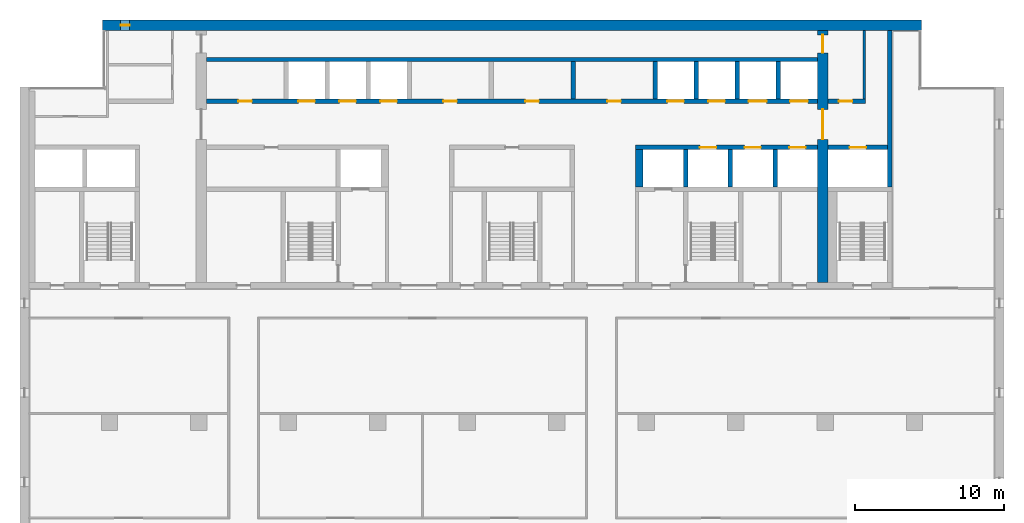
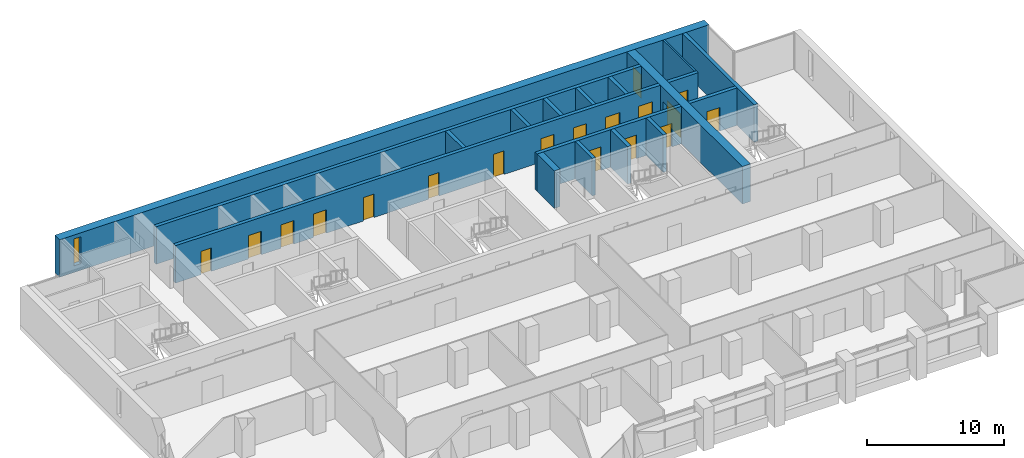
# One storey, part 11 of 17: 18 doors, 18 walls, 1 window, 19 openings.
"""IFC4 building model written with IfcOpenShell, lengths in metres."""

from ifc_helpers import new_model, si_unit, direction, frame, frame_2d, origin, place, context, subcontext, project, spatial, rectangle, extrude, material, layer, layer_set, type_object, element, fill, save


model = new_model("IFC4")

# Units and contexts
model_context = context("Model", 3, precision=1e-05, world=origin(), true_north=direction((0.0, 1.0)))
body_context = subcontext(model_context, "Body", "Model", "MODEL_VIEW")
ifc_project = project(units=[si_unit("LENGTHUNIT", "METRE"), si_unit("AREAUNIT", "SQUARE_METRE"), si_unit("VOLUMEUNIT", "CUBIC_METRE"), si_unit("PLANEANGLEUNIT", "RADIAN"), si_unit("MASSUNIT", "GRAM", prefix="KILO")], contexts=[model_context])

# Site, building, storey
site_placement = place(None, origin())
site = spatial("IfcSite", under=ifc_project, at=site_placement, CompositionType="ELEMENT")
building_placement = place(site_placement, origin())
building = spatial("IfcBuilding", under=site, at=building_placement, Name="Calvaro Tower", CompositionType="ELEMENT")
storey_placement = place(building_placement, frame((0.0, 0.0, 193.0)))
storey = spatial("IfcBuildingStorey", under=building, at=storey_placement, Name="L48", CompositionType="ELEMENT", Elevation=193.0)

# Wall
ifc_material_1 = material(Name="Blockwork partition", Category="masonry")
ifc_layer_1 = layer(ifc_material_1, 0.14990234375)
ifc_layer_set_1 = layer_set([ifc_layer_1], Name="Blockwork partition")
wall_type_1 = type_object("IfcWallType", Name="Core partition 150 REI 120", PredefinedType="PARTITIONING", material=ifc_layer_set_1)
wall_1_placement = place(storey_placement, frame((62.625, 40.699951171875, 0.0), z_axis=(0.0, 0.0, 1.0), x_axis=(0.0, 1.0, 0.0)))
element("IfcWall", 1, at=wall_1_placement, inside=storey, type_object=wall_type_1, Name="Core partition", PredefinedType="PARTITIONING", context=body_context, shape_type="SweptSolid", body=[
    extrude(rectangle(XDim=4.60009765625, YDim=0.14990234375, at=frame_2d((2.300048828125, 0.0))), origin(), (0.0, 0.0, 1.0), 3.35009765625),
])

# Wall, opening, door
ifc_material_2 = material(Name="Blockwork partition", Category="masonry")
ifc_layer_2 = layer(ifc_material_2, 0.300048828125)
ifc_layer_set_2 = layer_set([ifc_layer_2], Name="Blockwork partition")
wall_type_2 = type_object("IfcWallType", Name="Core partition 300 REI 120", PredefinedType="PARTITIONING", material=ifc_layer_set_2)
wall_2_placement = place(storey_placement, frame((60.199951171875, 40.550048828125, 0.0), z_axis=(0.0, 0.0, 1.0), x_axis=(1.0, 0.0, 0.0)))
wall_2 = element("IfcWall", 2, at=wall_2_placement, inside=storey, type_object=wall_type_2, Name="Core partition", PredefinedType="PARTITIONING", context=body_context, shape_type="SweptSolid", body=[
    extrude(rectangle(XDim=2.5, YDim=0.300048828125, at=frame_2d((1.25, 0.0))), origin(), (0.0, 0.0, 1.0), 3.35009765625),
])
opening_1_placement = place(wall_2_placement, frame((0.72509765625, 0.0, 0.0)))
opening_1 = element("IfcOpeningElement", 3, at=opening_1_placement, cuts=wall_2, Name="Opening RD9E", PredefinedType="OPENING", context=body_context, shape_type="SweptSolid", body=[
    extrude(rectangle(XDim=0.89990234375, YDim=2.10009765625, at=frame_2d((0.449951171875, 1.050048828125))), frame((0.0, 0.159912109375, 0.0), z_axis=(0.0, -1.0, 0.0), x_axis=(1.0, 0.0, 0.0)), (0.0, 0.0, 1.0), 0.320068359375),
])
ifc_material_3 = material(Name="Steel door set", Category="steel")
door_type_1 = type_object("IfcDoorType", Name="Room door 900 FD60", OperationType="SINGLE_SWING_LEFT", PredefinedType="DOOR", material=ifc_material_3)
door_1_placement = place(opening_1_placement, origin())
door_1 = element("IfcDoor", 4, at=door_1_placement, inside=storey, type_object=door_type_1, Name="Room door", OperationType="SINGLE_SWING_LEFT", OverallHeight=2.10009765625, OverallWidth=0.89990234375, PredefinedType="DOOR", context=body_context, shape_type="SweptSolid", body=[
    extrude(rectangle(XDim=0.89990234375, YDim=2.10009765625, at=frame_2d((0.449951171875, 1.050048828125))), frame((0.0, 0.02490234375, 0.0), z_axis=(0.0, -1.0, 0.0), x_axis=(1.0, 0.0, 0.0)), (0.0, 0.0, 1.0), 0.050048828125),
])
fill(opening_1, door_1)

# Walls
wall_3_placement = place(storey_placement, frame((43.10009765625, 40.699951171875, 0.0), z_axis=(0.0, 0.0, 1.0), x_axis=(0.0, 1.0, 0.0)))
element("IfcWall", 5, at=wall_3_placement, inside=storey, type_object=wall_type_2, Name="Core partition", PredefinedType="PARTITIONING", context=body_context, shape_type="SweptSolid", body=[
    extrude(rectangle(XDim=2.5, YDim=0.300048828125, at=frame_2d((1.25, 0.0))), origin(), (0.0, 0.0, 1.0), 3.35009765625),
])
ifc_material_4 = material(Name="Concrete C50/60", Category="concrete")
ifc_layer_3 = layer(ifc_material_4, 0.300048828125)
ifc_layer_set_3 = layer_set([ifc_layer_3], Name="Concrete C50/60")
wall_type_3 = type_object("IfcWallType", Name="Core wall C50/60 300", PredefinedType="SHEAR", material=ifc_layer_set_3)
wall_4_placement = place(storey_placement, frame((64.35009765625, 34.800048828125, 0.0), z_axis=(0.0, 0.0, 1.0), x_axis=(0.0, 1.0, 0.0)))
element("IfcWall", 6, at=wall_4_placement, inside=storey, type_object=wall_type_3, Name="Core wall, boundary", PredefinedType="SHEAR", context=body_context, shape_type="SweptSolid", body=[
    extrude(rectangle(XDim=10.5, YDim=0.300048828125, at=frame_2d((5.25, 0.0))), origin(), (0.0, 0.0, 1.0), 3.35009765625),
])

# Wall, openings, doors
wall_5_placement = place(storey_placement, frame((47.300048828125, 37.449951171875, 0.0), z_axis=(0.0, 0.0, 1.0), x_axis=(1.0, 0.0, 0.0)))
wall_5 = element("IfcWall", 7, at=wall_5_placement, inside=storey, type_object=wall_type_3, Name="Core wall, lift shaft", PredefinedType="SHEAR", context=body_context, shape_type="SweptSolid", body=[
    extrude(rectangle(XDim=12.199951171875, YDim=0.300048828125, at=frame_2d((6.10009765625, 0.0))), origin(), (0.0, 0.0, 1.0), 3.35009765625),
])
opening_2_placement = place(wall_5_placement, frame((4.300048828125, 0.0, 0.0)))
opening_2 = element("IfcOpeningElement", 8, at=opening_2_placement, cuts=wall_5, Name="Opening HR1", PredefinedType="OPENING", context=body_context, shape_type="SweptSolid", body=[
    extrude(rectangle(XDim=1.10009765625, YDim=2.10009765625, at=frame_2d((0.550048828125, 1.050048828125))), frame((0.0, 0.159912109375, 0.0), z_axis=(0.0, -1.0, 0.0), x_axis=(1.0, 0.0, 0.0)), (0.0, 0.0, 1.0), 0.320068359375),
])
opening_3_placement = place(wall_5_placement, frame((7.300048828125, 0.0, 0.0)))
opening_3 = element("IfcOpeningElement", 9, at=opening_3_placement, cuts=wall_5, Name="Opening HR2", PredefinedType="OPENING", context=body_context, shape_type="SweptSolid", body=[
    extrude(rectangle(XDim=1.10009765625, YDim=2.10009765625, at=frame_2d((0.550048828125, 1.050048828125))), frame((0.0, 0.159912109375, 0.0), z_axis=(0.0, -1.0, 0.0), x_axis=(1.0, 0.0, 0.0)), (0.0, 0.0, 1.0), 0.320068359375),
])
opening_4_placement = place(wall_5_placement, frame((10.300048828125, 0.0, 0.0)))
opening_4 = element("IfcOpeningElement", 10, at=opening_4_placement, cuts=wall_5, Name="Opening HR3", PredefinedType="OPENING", context=body_context, shape_type="SweptSolid", body=[
    extrude(rectangle(XDim=1.10009765625, YDim=2.10009765625, at=frame_2d((0.550048828125, 1.050048828125))), frame((0.0, 0.159912109375, 0.0), z_axis=(0.0, -1.0, 0.0), x_axis=(1.0, 0.0, 0.0)), (0.0, 0.0, 1.0), 0.320068359375),
])
ifc_material_5 = material(Name="Stainless steel", Category="steel")
door_type_2 = type_object("IfcDoorType", Name="Landing door 1100 E 60", OperationType="SLIDING_TO_LEFT", PredefinedType="DOOR", material=ifc_material_5)
door_2_placement = place(opening_2_placement, origin())
door_2 = element("IfcDoor", 11, at=door_2_placement, inside=storey, type_object=door_type_2, Name="Landing door HR1", OperationType="SLIDING_TO_LEFT", OverallHeight=2.10009765625, OverallWidth=1.10009765625, PredefinedType="DOOR", context=body_context, shape_type="SweptSolid", body=[
    extrude(rectangle(XDim=1.10009765625, YDim=2.10009765625, at=frame_2d((0.550048828125, 1.050048828125))), frame((0.0, 0.02490234375, 0.0), z_axis=(0.0, -1.0, 0.0), x_axis=(1.0, 0.0, 0.0)), (0.0, 0.0, 1.0), 0.050048828125),
])
fill(opening_2, door_2)
door_3_placement = place(opening_3_placement, origin())
door_3 = element("IfcDoor", 12, at=door_3_placement, inside=storey, type_object=door_type_2, Name="Landing door HR2", OperationType="SLIDING_TO_LEFT", OverallHeight=2.10009765625, OverallWidth=1.10009765625, PredefinedType="DOOR", context=body_context, shape_type="SweptSolid", body=[
    extrude(rectangle(XDim=1.10009765625, YDim=2.10009765625, at=frame_2d((0.550048828125, 1.050048828125))), frame((0.0, 0.02490234375, 0.0), z_axis=(0.0, -1.0, 0.0), x_axis=(1.0, 0.0, 0.0)), (0.0, 0.0, 1.0), 0.050048828125),
])
fill(opening_3, door_3)
door_4_placement = place(opening_4_placement, origin())
door_4 = element("IfcDoor", 13, at=door_4_placement, inside=storey, type_object=door_type_2, Name="Landing door HR3", OperationType="SLIDING_TO_LEFT", OverallHeight=2.10009765625, OverallWidth=1.10009765625, PredefinedType="DOOR", context=body_context, shape_type="SweptSolid", body=[
    extrude(rectangle(XDim=1.10009765625, YDim=2.10009765625, at=frame_2d((0.550048828125, 1.050048828125))), frame((0.0, 0.02490234375, 0.0), z_axis=(0.0, -1.0, 0.0), x_axis=(1.0, 0.0, 0.0)), (0.0, 0.0, 1.0), 0.050048828125),
])
fill(opening_4, door_4)

# Wall, opening, door
wall_6_placement = place(storey_placement, frame((60.199951171875, 37.449951171875, 0.0), z_axis=(0.0, 0.0, 1.0), x_axis=(1.0, 0.0, 0.0)))
wall_6 = element("IfcWall", 14, at=wall_6_placement, inside=storey, type_object=wall_type_3, Name="Core wall, lift shaft", PredefinedType="SHEAR", context=body_context, shape_type="SweptSolid", body=[
    extrude(rectangle(XDim=4.0, YDim=0.300048828125, at=frame_2d((2.0, 0.0))), origin(), (0.0, 0.0, 1.0), 3.35009765625),
])
opening_5_placement = place(wall_6_placement, frame((1.449951171875, 0.0, 0.0)))
opening_5 = element("IfcOpeningElement", 15, at=opening_5_placement, cuts=wall_6, Name="Opening FF3", PredefinedType="OPENING", context=body_context, shape_type="SweptSolid", body=[
    extrude(rectangle(XDim=1.10009765625, YDim=2.10009765625, at=frame_2d((0.550048828125, 1.050048828125))), frame((0.0, 0.159912109375, 0.0), z_axis=(0.0, -1.0, 0.0), x_axis=(1.0, 0.0, 0.0)), (0.0, 0.0, 1.0), 0.320068359375),
])
door_5_placement = place(opening_5_placement, origin())
door_5 = element("IfcDoor", 16, at=door_5_placement, inside=storey, type_object=door_type_2, Name="Landing door FF3", OperationType="SLIDING_TO_LEFT", OverallHeight=2.10009765625, OverallWidth=1.10009765625, PredefinedType="DOOR", context=body_context, shape_type="SweptSolid", body=[
    extrude(rectangle(XDim=1.10009765625, YDim=2.10009765625, at=frame_2d((0.550048828125, 1.050048828125))), frame((0.0, 0.02490234375, 0.0), z_axis=(0.0, -1.0, 0.0), x_axis=(1.0, 0.0, 0.0)), (0.0, 0.0, 1.0), 0.050048828125),
])
fill(opening_5, door_5)

# Wall
wall_7_placement = place(storey_placement, frame((50.64990234375, 34.800048828125, 0.0), z_axis=(0.0, 0.0, 1.0), x_axis=(0.0, 1.0, 0.0)))
element("IfcWall", 17, at=wall_7_placement, inside=storey, type_object=wall_type_3, Name="Core wall, lift shaft", PredefinedType="SHEAR", context=body_context, shape_type="SweptSolid", body=[
    extrude(rectangle(XDim=2.5, YDim=0.300048828125, at=frame_2d((1.25, 0.0))), origin(), (0.0, 0.0, 1.0), 3.35009765625),
])

# Wall, openings, doors
wall_8_placement = place(storey_placement, frame((18.5, 40.550048828125, 0.0), z_axis=(0.0, 0.0, 1.0), x_axis=(1.0, 0.0, 0.0)))
wall_8 = element("IfcWall", 18, at=wall_8_placement, inside=storey, type_object=wall_type_3, Name="Core wall, bay", PredefinedType="SHEAR", context=body_context, shape_type="SweptSolid", body=[
    extrude(rectangle(XDim=41.0, YDim=0.300048828125, at=frame_2d((20.5, 0.0))), origin(), (0.0, 0.0, 1.0), 3.35009765625),
])
opening_6_placement = place(wall_8_placement, frame((2.14990234375, 0.0, 0.0)))
opening_6 = element("IfcOpeningElement", 19, at=opening_6_placement, cuts=wall_8, Name="Opening RD9E", PredefinedType="OPENING", context=body_context, shape_type="SweptSolid", body=[
    extrude(rectangle(XDim=0.89990234375, YDim=2.10009765625, at=frame_2d((0.449951171875, 1.050048828125))), frame((0.0, 0.159912109375, 0.0), z_axis=(0.0, -1.0, 0.0), x_axis=(1.0, 0.0, 0.0)), (0.0, 0.0, 1.0), 0.320068359375),
])
opening_7_placement = place(wall_8_placement, frame((15.89990234375, 0.0, 0.0)))
opening_7 = element("IfcOpeningElement", 20, at=opening_7_placement, cuts=wall_8, Name="Opening RD9E", PredefinedType="OPENING", context=body_context, shape_type="SweptSolid", body=[
    extrude(rectangle(XDim=0.89990234375, YDim=2.10009765625, at=frame_2d((0.449951171875, 1.050048828125))), frame((0.0, 0.159912109375, 0.0), z_axis=(0.0, -1.0, 0.0), x_axis=(1.0, 0.0, 0.0)), (0.0, 0.0, 1.0), 0.320068359375),
])
opening_8_placement = place(wall_8_placement, frame((21.39990234375, 0.0, 0.0)))
opening_8 = element("IfcOpeningElement", 21, at=opening_8_placement, cuts=wall_8, Name="Opening RD9E", PredefinedType="OPENING", context=body_context, shape_type="SweptSolid", body=[
    extrude(rectangle(XDim=0.89990234375, YDim=2.10009765625, at=frame_2d((0.449951171875, 1.050048828125))), frame((0.0, 0.159912109375, 0.0), z_axis=(0.0, -1.0, 0.0), x_axis=(1.0, 0.0, 0.0)), (0.0, 0.0, 1.0), 0.320068359375),
])
opening_9_placement = place(wall_8_placement, frame((26.89990234375, 0.0, 0.0)))
opening_9 = element("IfcOpeningElement", 22, at=opening_9_placement, cuts=wall_8, Name="Opening RD9E", PredefinedType="OPENING", context=body_context, shape_type="SweptSolid", body=[
    extrude(rectangle(XDim=0.89990234375, YDim=2.10009765625, at=frame_2d((0.449951171875, 1.050048828125))), frame((0.0, 0.159912109375, 0.0), z_axis=(0.0, -1.0, 0.0), x_axis=(1.0, 0.0, 0.0)), (0.0, 0.0, 1.0), 0.320068359375),
])
opening_10_placement = place(wall_8_placement, frame((6.175048828125, 0.0, 0.0)))
opening_10 = element("IfcOpeningElement", 23, at=opening_10_placement, cuts=wall_8, Name="Opening HR4", PredefinedType="OPENING", context=body_context, shape_type="SweptSolid", body=[
    extrude(rectangle(XDim=1.10009765625, YDim=2.10009765625, at=frame_2d((0.550048828125, 1.050048828125))), frame((0.0, 0.159912109375, 0.0), z_axis=(0.0, -1.0, 0.0), x_axis=(1.0, 0.0, 0.0)), (0.0, 0.0, 1.0), 0.320068359375),
])
opening_11_placement = place(wall_8_placement, frame((8.925048828125, 0.0, 0.0)))
opening_11 = element("IfcOpeningElement", 24, at=opening_11_placement, cuts=wall_8, Name="Opening HR5", PredefinedType="OPENING", context=body_context, shape_type="SweptSolid", body=[
    extrude(rectangle(XDim=1.10009765625, YDim=2.10009765625, at=frame_2d((0.550048828125, 1.050048828125))), frame((0.0, 0.159912109375, 0.0), z_axis=(0.0, -1.0, 0.0), x_axis=(1.0, 0.0, 0.0)), (0.0, 0.0, 1.0), 0.320068359375),
])
opening_12_placement = place(wall_8_placement, frame((11.675048828125, 0.0, 0.0)))
opening_12 = element("IfcOpeningElement", 25, at=opening_12_placement, cuts=wall_8, Name="Opening HR6", PredefinedType="OPENING", context=body_context, shape_type="SweptSolid", body=[
    extrude(rectangle(XDim=1.10009765625, YDim=2.10009765625, at=frame_2d((0.550048828125, 1.050048828125))), frame((0.0, 0.159912109375, 0.0), z_axis=(0.0, -1.0, 0.0), x_axis=(1.0, 0.0, 0.0)), (0.0, 0.0, 1.0), 0.320068359375),
])
opening_13_placement = place(wall_8_placement, frame((30.925048828125, 0.0, 0.0)))
opening_13 = element("IfcOpeningElement", 26, at=opening_13_placement, cuts=wall_8, Name="Opening HR7", PredefinedType="OPENING", context=body_context, shape_type="SweptSolid", body=[
    extrude(rectangle(XDim=1.10009765625, YDim=2.10009765625, at=frame_2d((0.550048828125, 1.050048828125))), frame((0.0, 0.159912109375, 0.0), z_axis=(0.0, -1.0, 0.0), x_axis=(1.0, 0.0, 0.0)), (0.0, 0.0, 1.0), 0.320068359375),
])
opening_14_placement = place(wall_8_placement, frame((33.675048828125, 0.0, 0.0)))
opening_14 = element("IfcOpeningElement", 27, at=opening_14_placement, cuts=wall_8, Name="Opening HR8", PredefinedType="OPENING", context=body_context, shape_type="SweptSolid", body=[
    extrude(rectangle(XDim=1.10009765625, YDim=2.10009765625, at=frame_2d((0.550048828125, 1.050048828125))), frame((0.0, 0.159912109375, 0.0), z_axis=(0.0, -1.0, 0.0), x_axis=(1.0, 0.0, 0.0)), (0.0, 0.0, 1.0), 0.320068359375),
])
opening_15_placement = place(wall_8_placement, frame((36.375, 0.0, 0.0)))
opening_15 = element("IfcOpeningElement", 28, at=opening_15_placement, cuts=wall_8, Name="Opening SV1", PredefinedType="OPENING", context=body_context, shape_type="SweptSolid", body=[
    extrude(rectangle(XDim=1.199951171875, YDim=2.10009765625, at=frame_2d((0.60009765625, 1.050048828125))), frame((0.0, 0.159912109375, 0.0), z_axis=(0.0, -1.0, 0.0), x_axis=(1.0, 0.0, 0.0)), (0.0, 0.0, 1.0), 0.320068359375),
])
opening_16_placement = place(wall_8_placement, frame((39.14990234375, 0.0, 0.0)))
opening_16 = element("IfcOpeningElement", 29, at=opening_16_placement, cuts=wall_8, Name="Opening SV2", PredefinedType="OPENING", context=body_context, shape_type="SweptSolid", body=[
    extrude(rectangle(XDim=1.199951171875, YDim=2.10009765625, at=frame_2d((0.60009765625, 1.050048828125))), frame((0.0, 0.159912109375, 0.0), z_axis=(0.0, -1.0, 0.0), x_axis=(1.0, 0.0, 0.0)), (0.0, 0.0, 1.0), 0.320068359375),
])
door_6_placement = place(opening_10_placement, origin())
door_6 = element("IfcDoor", 30, at=door_6_placement, inside=storey, type_object=door_type_2, Name="Landing door HR4", OperationType="SLIDING_TO_LEFT", OverallHeight=2.10009765625, OverallWidth=1.10009765625, PredefinedType="DOOR", context=body_context, shape_type="SweptSolid", body=[
    extrude(rectangle(XDim=1.10009765625, YDim=2.10009765625, at=frame_2d((0.550048828125, 1.050048828125))), frame((0.0, 0.02490234375, 0.0), z_axis=(0.0, -1.0, 0.0), x_axis=(1.0, 0.0, 0.0)), (0.0, 0.0, 1.0), 0.050048828125),
])
fill(opening_10, door_6)
door_7_placement = place(opening_11_placement, origin())
door_7 = element("IfcDoor", 31, at=door_7_placement, inside=storey, type_object=door_type_2, Name="Landing door HR5", OperationType="SLIDING_TO_LEFT", OverallHeight=2.10009765625, OverallWidth=1.10009765625, PredefinedType="DOOR", context=body_context, shape_type="SweptSolid", body=[
    extrude(rectangle(XDim=1.10009765625, YDim=2.10009765625, at=frame_2d((0.550048828125, 1.050048828125))), frame((0.0, 0.02490234375, 0.0), z_axis=(0.0, -1.0, 0.0), x_axis=(1.0, 0.0, 0.0)), (0.0, 0.0, 1.0), 0.050048828125),
])
fill(opening_11, door_7)
door_8_placement = place(opening_12_placement, origin())
door_8 = element("IfcDoor", 32, at=door_8_placement, inside=storey, type_object=door_type_2, Name="Landing door HR6", OperationType="SLIDING_TO_LEFT", OverallHeight=2.10009765625, OverallWidth=1.10009765625, PredefinedType="DOOR", context=body_context, shape_type="SweptSolid", body=[
    extrude(rectangle(XDim=1.10009765625, YDim=2.10009765625, at=frame_2d((0.550048828125, 1.050048828125))), frame((0.0, 0.02490234375, 0.0), z_axis=(0.0, -1.0, 0.0), x_axis=(1.0, 0.0, 0.0)), (0.0, 0.0, 1.0), 0.050048828125),
])
fill(opening_12, door_8)
door_9_placement = place(opening_13_placement, origin())
door_9 = element("IfcDoor", 33, at=door_9_placement, inside=storey, type_object=door_type_2, Name="Landing door HR7", OperationType="SLIDING_TO_LEFT", OverallHeight=2.10009765625, OverallWidth=1.10009765625, PredefinedType="DOOR", context=body_context, shape_type="SweptSolid", body=[
    extrude(rectangle(XDim=1.10009765625, YDim=2.10009765625, at=frame_2d((0.550048828125, 1.050048828125))), frame((0.0, 0.02490234375, 0.0), z_axis=(0.0, -1.0, 0.0), x_axis=(1.0, 0.0, 0.0)), (0.0, 0.0, 1.0), 0.050048828125),
])
fill(opening_13, door_9)
door_10_placement = place(opening_14_placement, origin())
door_10 = element("IfcDoor", 34, at=door_10_placement, inside=storey, type_object=door_type_2, Name="Landing door HR8", OperationType="SLIDING_TO_LEFT", OverallHeight=2.10009765625, OverallWidth=1.10009765625, PredefinedType="DOOR", context=body_context, shape_type="SweptSolid", body=[
    extrude(rectangle(XDim=1.10009765625, YDim=2.10009765625, at=frame_2d((0.550048828125, 1.050048828125))), frame((0.0, 0.02490234375, 0.0), z_axis=(0.0, -1.0, 0.0), x_axis=(1.0, 0.0, 0.0)), (0.0, 0.0, 1.0), 0.050048828125),
])
fill(opening_14, door_10)
ifc_material_6 = material(Name="Stainless steel", Category="steel")
door_type_3 = type_object("IfcDoorType", Name="Landing door 1200 E 60", OperationType="SLIDING_TO_LEFT", PredefinedType="DOOR", material=ifc_material_6)
door_11_placement = place(opening_15_placement, origin())
door_11 = element("IfcDoor", 35, at=door_11_placement, inside=storey, type_object=door_type_3, Name="Landing door SV1", OperationType="SLIDING_TO_LEFT", OverallHeight=2.10009765625, OverallWidth=1.199951171875, PredefinedType="DOOR", context=body_context, shape_type="SweptSolid", body=[
    extrude(rectangle(XDim=1.199951171875, YDim=2.10009765625, at=frame_2d((0.60009765625, 1.050048828125))), frame((0.0, 0.02490234375, 0.0), z_axis=(0.0, -1.0, 0.0), x_axis=(1.0, 0.0, 0.0)), (0.0, 0.0, 1.0), 0.050048828125),
])
fill(opening_15, door_11)
door_12_placement = place(opening_16_placement, origin())
door_12 = element("IfcDoor", 36, at=door_12_placement, inside=storey, type_object=door_type_3, Name="Landing door SV2", OperationType="SLIDING_TO_LEFT", OverallHeight=2.10009765625, OverallWidth=1.199951171875, PredefinedType="DOOR", context=body_context, shape_type="SweptSolid", body=[
    extrude(rectangle(XDim=1.199951171875, YDim=2.10009765625, at=frame_2d((0.60009765625, 1.050048828125))), frame((0.0, 0.02490234375, 0.0), z_axis=(0.0, -1.0, 0.0), x_axis=(1.0, 0.0, 0.0)), (0.0, 0.0, 1.0), 0.050048828125),
])
fill(opening_16, door_12)
door_13_placement = place(opening_6_placement, origin())
door_13 = element("IfcDoor", 37, at=door_13_placement, inside=storey, type_object=door_type_1, Name="Room door", OperationType="SINGLE_SWING_RIGHT", OverallHeight=2.10009765625, OverallWidth=0.89990234375, PredefinedType="DOOR", context=body_context, shape_type="SweptSolid", body=[
    extrude(rectangle(XDim=0.89990234375, YDim=2.10009765625, at=frame_2d((0.449951171875, 1.050048828125))), frame((0.0, 0.02490234375, 0.0), z_axis=(0.0, -1.0, 0.0), x_axis=(1.0, 0.0, 0.0)), (0.0, 0.0, 1.0), 0.050048828125),
])
fill(opening_6, door_13)
door_14_placement = place(opening_7_placement, origin())
door_14 = element("IfcDoor", 38, at=door_14_placement, inside=storey, type_object=door_type_1, Name="Room door", OperationType="SINGLE_SWING_LEFT", OverallHeight=2.10009765625, OverallWidth=0.89990234375, PredefinedType="DOOR", context=body_context, shape_type="SweptSolid", body=[
    extrude(rectangle(XDim=0.89990234375, YDim=2.10009765625, at=frame_2d((0.449951171875, 1.050048828125))), frame((0.0, 0.02490234375, 0.0), z_axis=(0.0, -1.0, 0.0), x_axis=(1.0, 0.0, 0.0)), (0.0, 0.0, 1.0), 0.050048828125),
])
fill(opening_7, door_14)
door_15_placement = place(opening_8_placement, origin())
door_15 = element("IfcDoor", 39, at=door_15_placement, inside=storey, type_object=door_type_1, Name="Room door", OperationType="SINGLE_SWING_LEFT", OverallHeight=2.10009765625, OverallWidth=0.89990234375, PredefinedType="DOOR", context=body_context, shape_type="SweptSolid", body=[
    extrude(rectangle(XDim=0.89990234375, YDim=2.10009765625, at=frame_2d((0.449951171875, 1.050048828125))), frame((0.0, 0.02490234375, 0.0), z_axis=(0.0, -1.0, 0.0), x_axis=(1.0, 0.0, 0.0)), (0.0, 0.0, 1.0), 0.050048828125),
])
fill(opening_8, door_15)
door_16_placement = place(opening_9_placement, origin())
door_16 = element("IfcDoor", 40, at=door_16_placement, inside=storey, type_object=door_type_1, Name="Room door", OperationType="SINGLE_SWING_LEFT", OverallHeight=2.10009765625, OverallWidth=0.89990234375, PredefinedType="DOOR", context=body_context, shape_type="SweptSolid", body=[
    extrude(rectangle(XDim=0.89990234375, YDim=2.10009765625, at=frame_2d((0.449951171875, 1.050048828125))), frame((0.0, 0.02490234375, 0.0), z_axis=(0.0, -1.0, 0.0), x_axis=(1.0, 0.0, 0.0)), (0.0, 0.0, 1.0), 0.050048828125),
])
fill(opening_9, door_16)

# Walls
wall_9_placement = place(storey_placement, frame((18.5, 43.35009765625, 0.0), z_axis=(0.0, 0.0, 1.0), x_axis=(1.0, 0.0, 0.0)))
element("IfcWall", 41, at=wall_9_placement, inside=storey, type_object=wall_type_3, Name="Core wall, lift shaft", PredefinedType="SHEAR", context=body_context, shape_type="SweptSolid", body=[
    extrude(rectangle(XDim=41.0, YDim=0.300048828125, at=frame_2d((20.5, 0.0))), origin(), (0.0, 0.0, 1.0), 3.35009765625),
])
for number, where, z_axis, x_axis, name in (
    (42, (53.64990234375, 34.800048828125, 0.0), (0.0, 0.0, 1.0), (0.0, 1.0, 0.0), "Core wall, lift shaft"),
    (43, (56.64990234375, 34.800048828125, 0.0), (0.0, 0.0, 1.0), (0.0, 1.0, 0.0), "Core wall, lift shaft"),
    (44, (48.60009765625, 40.699951171875, 0.0), (0.0, 0.0, 1.0), (0.0, 1.0, 0.0), "Core wall, lift shaft"),
    (45, (51.35009765625, 40.699951171875, 0.0), (0.0, 0.0, 1.0), (0.0, 1.0, 0.0), "Core wall, lift shaft"),
    (46, (54.10009765625, 40.699951171875, 0.0), (0.0, 0.0, 1.0), (0.0, 1.0, 0.0), "Core wall, lift shaft"),
    (47, (56.85009765625, 40.699951171875, 0.0), (0.0, 0.0, 1.0), (0.0, 1.0, 0.0), "Core wall, lift shaft"),
):
    element("IfcWall", number, at=place(storey_placement, frame(where, z_axis=z_axis, x_axis=x_axis)), inside=storey, type_object=wall_type_3, Name=name, PredefinedType="SHEAR", context=body_context, shape_type="SweptSolid", body=[
        extrude(rectangle(XDim=2.5, YDim=0.300048828125, at=frame_2d((1.25, 0.0))), origin(), (0.0, 0.0, 1.0), 3.35009765625),
    ])
ifc_material_7 = material(Name="Concrete C50/60", Category="concrete")
ifc_layer_4 = layer(ifc_material_7, 0.5)
ifc_layer_set_4 = layer_set([ifc_layer_4], Name="Concrete C50/60")
wall_type_4 = type_object("IfcWallType", Name="Core wall C50/60 500", PredefinedType="SHEAR", material=ifc_layer_set_4)
wall_10_placement = place(storey_placement, frame((47.550048828125, 34.800048828125, 0.0), z_axis=(0.0, 0.0, 1.0), x_axis=(0.0, 1.0, 0.0)))
element("IfcWall", 48, at=wall_10_placement, inside=storey, type_object=wall_type_4, Name="Core wall, lift shaft", PredefinedType="SHEAR", context=body_context, shape_type="SweptSolid", body=[
    extrude(rectangle(XDim=2.5, YDim=0.5, at=frame_2d((1.25, 0.0))), origin(), (0.0, 0.0, 1.0), 3.35009765625),
])

# Wall, openings, doors
ifc_material_8 = material(Name="Concrete C50/60", Category="concrete")
ifc_layer_5 = layer(ifc_material_8, 0.699951171875)
ifc_layer_set_5 = layer_set([ifc_layer_5], Name="Concrete C50/60")
wall_type_5 = type_object("IfcWallType", Name="Core wall C50/60 700", PredefinedType="SHEAR", material=ifc_layer_set_5)
wall_11_placement = place(storey_placement, frame((59.85009765625, 28.39990234375, 0.0), z_axis=(0.0, 0.0, 1.0), x_axis=(0.0, 1.0, 0.0)))
wall_11 = element("IfcWall", 49, at=wall_11_placement, inside=storey, type_object=wall_type_5, Name="Core wall, cross shear wall", PredefinedType="SHEAR", context=body_context, shape_type="SweptSolid", body=[
    extrude(rectangle(XDim=16.900146484375, YDim=0.699951171875, at=frame_2d((8.4501953125, 0.0))), origin(), (0.0, 0.0, 1.0), 3.35009765625),
])
opening_17_placement = place(wall_11_placement, frame((9.60009765625, 0.0, 0.0)))
opening_17 = element("IfcOpeningElement", 50, at=opening_17_placement, cuts=wall_11, Name="Opening DD20D", PredefinedType="OPENING", context=body_context, shape_type="SweptSolid", body=[
    extrude(rectangle(XDim=2.0, YDim=2.10009765625, at=frame_2d((1.0, 1.050048828125))), frame((0.0, 0.35986328125, 0.0), z_axis=(0.0, -1.0, 0.0), x_axis=(1.0, 0.0, 0.0)), (0.0, 0.0, 1.0), 0.719970703125),
])
opening_18_placement = place(wall_11_placement, frame((15.39990234375, 0.0, 0.0)))
opening_18 = element("IfcOpeningElement", 51, at=opening_18_placement, cuts=wall_11, Name="Opening FD12C", PredefinedType="OPENING", context=body_context, shape_type="SweptSolid", body=[
    extrude(rectangle(XDim=1.199951171875, YDim=2.10009765625, at=frame_2d((0.60009765625, 1.050048828125))), frame((0.0, 0.35986328125, 0.0), z_axis=(0.0, -1.0, 0.0), x_axis=(1.0, 0.0, 0.0)), (0.0, 0.0, 1.0), 0.719970703125),
])
ifc_material_9 = material(Name="Steel door set", Category="steel")
door_type_4 = type_object("IfcDoorType", Name="Fire door 1200 FD30", OperationType="SINGLE_SWING_LEFT", PredefinedType="DOOR", material=ifc_material_9)
door_17_placement = place(opening_18_placement, origin())
door_17 = element("IfcDoor", 52, at=door_17_placement, inside=storey, type_object=door_type_4, Name="Fire door", OperationType="SINGLE_SWING_LEFT", OverallHeight=2.10009765625, OverallWidth=1.199951171875, PredefinedType="DOOR", context=body_context, shape_type="SweptSolid", body=[
    extrude(rectangle(XDim=1.199951171875, YDim=2.10009765625, at=frame_2d((0.60009765625, 1.050048828125))), frame((0.0, 0.02490234375, 0.0), z_axis=(0.0, -1.0, 0.0), x_axis=(1.0, 0.0, 0.0)), (0.0, 0.0, 1.0), 0.050048828125),
])
fill(opening_18, door_17)
ifc_material_10 = material(Name="Steel door set", Category="steel")
door_type_5 = type_object("IfcDoorType", Name="Lobby double door 2000 FD30S", OperationType="DOUBLE_DOOR_SINGLE_SWING", PredefinedType="DOOR", material=ifc_material_10)
door_18_placement = place(opening_17_placement, origin())
door_18 = element("IfcDoor", 53, at=door_18_placement, inside=storey, type_object=door_type_5, Name="Lobby double door", OperationType="DOUBLE_DOOR_SINGLE_SWING", OverallHeight=2.10009765625, OverallWidth=2.0, PredefinedType="DOOR", context=body_context, shape_type="SweptSolid", body=[
    extrude(rectangle(XDim=2.0, YDim=2.10009765625, at=frame_2d((1.0, 1.050048828125))), frame((0.0, 0.02490234375, 0.0), z_axis=(0.0, -1.0, 0.0), x_axis=(1.0, 0.0, 0.0)), (0.0, 0.0, 1.0), 0.050048828125),
])
fill(opening_17, door_18)

# Wall, opening, window
ifc_material_11 = material(Name="Concrete C50/60", Category="concrete")
ifc_layer_6 = layer(ifc_material_11, 0.699951171875)
ifc_layer_set_6 = layer_set([ifc_layer_6], Name="Concrete C50/60")
wall_type_6 = type_object("IfcWallType", Name="Rear core wall 700 C50/60", PredefinedType="SHEAR", material=ifc_layer_set_6)
wall_12_placement = place(storey_placement, frame((11.550048828125, 45.64990234375, 0.0), z_axis=(0.0, 0.0, 1.0), x_axis=(1.0, 0.0, 0.0)))
wall_12 = element("IfcWall", 54, at=wall_12_placement, inside=storey, type_object=wall_type_6, Name="North core wall", PredefinedType="SHEAR", context=body_context, shape_type="SweptSolid", body=[
    extrude(rectangle(XDim=54.89990234375, YDim=0.699951171875, at=frame_2d((27.449951171875, 0.0))), origin(), (0.0, 0.0, 1.0), 3.35009765625),
])
opening_19_placement = place(wall_12_placement, frame((1.199951171875, 0.0, 0.60009765625)))
opening_19 = element("IfcOpeningElement", 55, at=opening_19_placement, cuts=wall_12, Name="Opening WN01", PredefinedType="OPENING", context=body_context, shape_type="SweptSolid", body=[
    extrude(rectangle(XDim=0.60009765625, YDim=2.39990234375, at=frame_2d((0.300048828125, 1.199951171875))), frame((0.0, 0.35986328125, 0.0), z_axis=(0.0, -1.0, 0.0), x_axis=(1.0, 0.0, 0.0)), (0.0, 0.0, 1.0), 0.719970703125),
])
ifc_material_12 = material(Name="Glass", Category="glass")
window_type = type_object("IfcWindowType", Name="Slit window 600 x 2400", PartitioningType="SINGLE_PANEL", PredefinedType="WINDOW", material=ifc_material_12)
window_placement = place(opening_19_placement, origin())
window = element("IfcWindow", 56, at=window_placement, inside=storey, type_object=window_type, Name="Window WN01", OverallHeight=2.39990234375, OverallWidth=0.60009765625, PartitioningType="SINGLE_PANEL", PredefinedType="WINDOW", context=body_context, shape_type="SweptSolid", body=[
    extrude(rectangle(XDim=0.60009765625, YDim=2.39990234375, at=frame_2d((0.300048828125, 1.199951171875))), frame((0.0, 0.030029296875, 0.0), z_axis=(0.0, -1.0, 0.0), x_axis=(1.0, 0.0, 0.0)), (0.0, 0.0, 1.0), 0.06005859375),
])
fill(opening_19, window)

save(model, "model.ifc")
